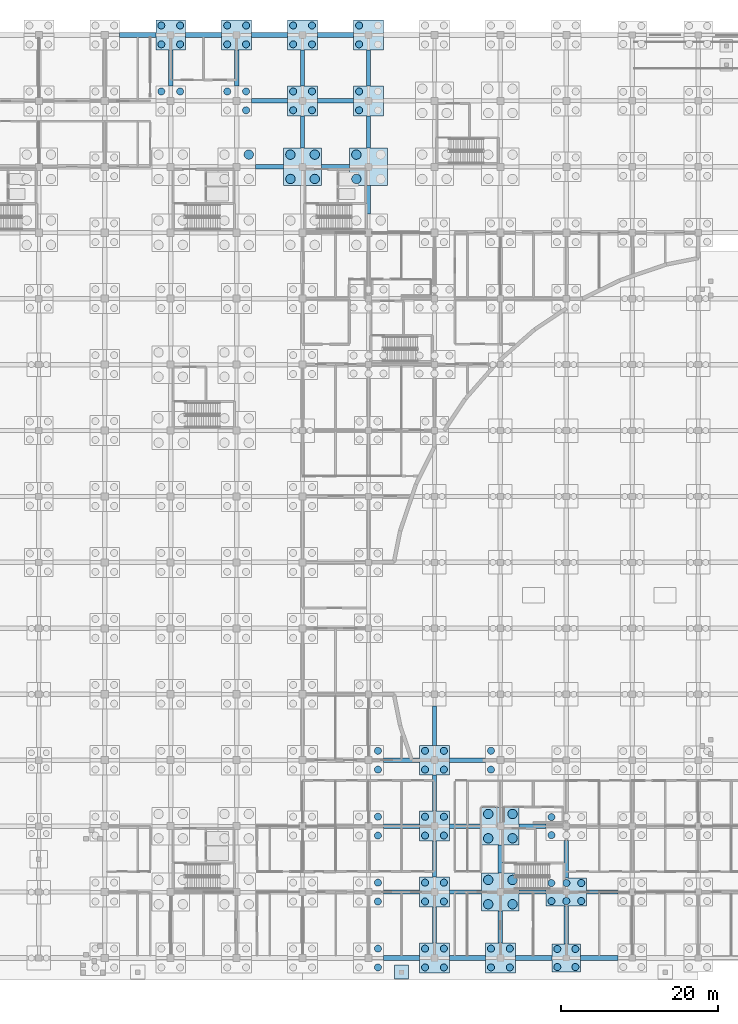
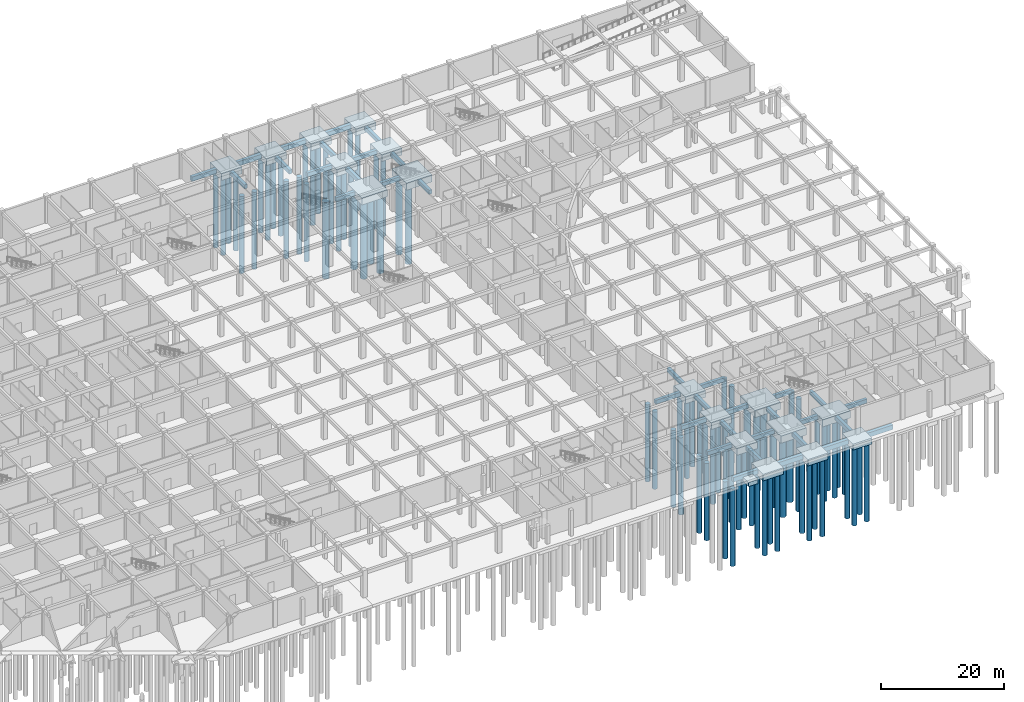
# One storey, part 12 of 65: 82 piles, 54 footings.
"""IFC4 building model written with IfcOpenShell, lengths in metres."""

from ifc_helpers import new_model, si_unit, direction, frame, origin, origin_2d, place, context, subcontext, project, spatial, rectangle, circle, extrude, material, material_profile, profile_set, type_object, element, save


model = new_model("IFC4")

# Units and contexts
model_context = context("Model", 3, precision=1e-05, world=origin(), true_north=direction((0.0, 1.0)))
body_context = subcontext(model_context, "Body", "Model", "MODEL_VIEW")
ifc_project = project(units=[si_unit("LENGTHUNIT", "METRE"), si_unit("AREAUNIT", "SQUARE_METRE"), si_unit("VOLUMEUNIT", "CUBIC_METRE"), si_unit("PLANEANGLEUNIT", "RADIAN"), si_unit("MASSUNIT", "GRAM", prefix="KILO")], contexts=[model_context])

# Site, building, storey
site_placement = place(None, origin())
site = spatial("IfcSite", under=ifc_project, at=site_placement, CompositionType="ELEMENT")
building_placement = place(site_placement, origin())
building = spatial("IfcBuilding", under=site, at=building_placement, Name="Bramfleet General Hospital", CompositionType="ELEMENT")
storey_placement = place(building_placement, frame((0.0, 0.0, -5.39990234375)))
storey = spatial("IfcBuildingStorey", under=building, at=storey_placement, Name="B1", CompositionType="ELEMENT", Elevation=-5.39990234375)

# Footings
ifc_material = material(Name="Concrete C35/45", Category="concrete")
ifc_material_profile_1 = material_profile(ifc_material, rectangle(XDim=0.550048828125, YDim=0.800048828125, at=origin_2d()), Name="RC FB 800x550")
ifc_profile_set_1 = profile_set([ifc_material_profile_1], Name="Concrete C35/45")
footing_type_1 = type_object("IfcFootingType", Name="FTG-FB-01", PredefinedType="FOOTING_BEAM", material=ifc_profile_set_1)
footing_1_placement = place(storey_placement, frame((100.800048828125, 111.10009765625, -0.900146484375), z_axis=(0.0, 1.0, 0.0), x_axis=(-1.0, 0.0, 0.0)))
element("IfcFooting", 1, at=footing_1_placement, inside=storey, type_object=footing_type_1, Name="Foundation Tie Beam Y 12-13", PredefinedType="FOOTING_BEAM", context=body_context, shape_type="SweptSolid", body=[
    extrude(rectangle(XDim=0.550048828125, YDim=0.800048828125, at=origin_2d()), origin(), (0.0, 0.0, 1.0), 4.599853515625),
])
footing_2_placement = place(storey_placement, frame((111.60009765625, 100.800048828125, -0.900146484375), z_axis=(1.0, 0.0, 0.0), x_axis=(0.0, 1.0, 0.0)))
element("IfcFooting", 2, at=footing_2_placement, inside=storey, type_object=footing_type_1, Name="Foundation Tie Beam X 13-12", PredefinedType="FOOTING_BEAM", context=body_context, shape_type="SweptSolid", body=[
    extrude(rectangle(XDim=0.550048828125, YDim=0.800048828125, at=origin_2d()), origin(), (0.0, 0.0, 1.0), 3.599853515625),
])
for number, where, z_axis, x_axis, name in (
    (3, (111.10009765625, 109.199951171875, -0.900146484375), (1.0, 0.0, 0.0), (0.0, 1.0, 0.0), "Foundation Tie Beam X 13-13"),
    (4, (109.199951171875, 111.10009765625, -0.900146484375), (0.0, 1.0, 0.0), (-1.0, 0.0, 0.0), "Foundation Tie Beam Y 13-13"),
):
    element("IfcFooting", number, at=place(storey_placement, frame(where, z_axis=z_axis, x_axis=x_axis)), inside=storey, type_object=footing_type_1, Name=name, PredefinedType="FOOTING_BEAM", context=body_context, shape_type="SweptSolid", body=[
        extrude(rectangle(XDim=0.550048828125, YDim=0.800048828125, at=origin_2d()), origin(), (0.0, 0.0, 1.0), 4.599853515625),
    ])
footing_3_placement = place(storey_placement, frame((120.0, 100.800048828125, -0.900146484375), z_axis=(1.0, 0.0, 0.0), x_axis=(0.0, 1.0, 0.0)))
element("IfcFooting", 5, at=footing_3_placement, inside=storey, type_object=footing_type_1, Name="Foundation Tie Beam X 14-12", PredefinedType="FOOTING_BEAM", context=body_context, shape_type="SweptSolid", body=[
    extrude(rectangle(XDim=0.550048828125, YDim=0.800048828125, at=origin_2d()), origin(), (0.0, 0.0, 1.0), 3.60009765625),
])
footing_4_placement = place(storey_placement, frame((117.60009765625, 103.199951171875, -0.900146484375), z_axis=(0.0, 1.0, 0.0), x_axis=(-1.0, 0.0, 0.0)))
element("IfcFooting", 6, at=footing_4_placement, inside=storey, type_object=footing_type_1, Name="Foundation Tie Beam Y 14-12", PredefinedType="FOOTING_BEAM", context=body_context, shape_type="SweptSolid", body=[
    extrude(rectangle(XDim=0.550048828125, YDim=0.800048828125, at=origin_2d()), origin(), (0.0, 0.0, 1.0), 4.10009765625),
])
footing_5_placement = place(storey_placement, frame((119.5, 109.199951171875, -0.900146484375), z_axis=(1.0, 0.0, 0.0), x_axis=(0.0, 1.0, 0.0)))
element("IfcFooting", 7, at=footing_5_placement, inside=storey, type_object=footing_type_1, Name="Foundation Tie Beam X 14-13", PredefinedType="FOOTING_BEAM", context=body_context, shape_type="SweptSolid", body=[
    extrude(rectangle(XDim=0.550048828125, YDim=0.800048828125, at=origin_2d()), origin(), (0.0, 0.0, 1.0), 4.60009765625),
])
footing_6_placement = place(storey_placement, frame((117.60009765625, 111.10009765625, -0.900146484375), z_axis=(0.0, 1.0, 0.0), x_axis=(-1.0, 0.0, 0.0)))
element("IfcFooting", 8, at=footing_6_placement, inside=storey, type_object=footing_type_1, Name="Foundation Tie Beam Y 14-13", PredefinedType="FOOTING_BEAM", context=body_context, shape_type="SweptSolid", body=[
    extrude(rectangle(XDim=0.550048828125, YDim=0.800048828125, at=origin_2d()), origin(), (0.0, 0.0, 1.0), 4.599853515625),
])
for number, where, z_axis, x_axis, name in (
    (9, (127.89990234375, 8.39990234375, -0.900146484375), (1.0, 0.0, 0.0), (0.0, 1.0, 0.0), "Foundation Tie Beam X 15-01"),
    (10, (127.89990234375, 16.800048828125, -0.900146484375), (1.0, 0.0, 0.0), (0.0, 1.0, 0.0), "Foundation Tie Beam X 15-02"),
    (11, (127.89990234375, 25.199951171875, -0.900146484375), (1.0, 0.0, 0.0), (0.0, 1.0, 0.0), "Foundation Tie Beam X 15-03"),
):
    element("IfcFooting", number, at=place(storey_placement, frame(where, z_axis=z_axis, x_axis=x_axis)), inside=storey, type_object=footing_type_1, Name=name, PredefinedType="FOOTING_BEAM", context=body_context, shape_type="SweptSolid", body=[
        extrude(rectangle(XDim=0.550048828125, YDim=0.800048828125, at=origin_2d()), origin(), (0.0, 0.0, 1.0), 4.60009765625),
    ])
footing_7_placement = place(storey_placement, frame((126.0, 94.800048828125, -0.900146484375), z_axis=(0.0, 1.0, 0.0), x_axis=(-1.0, 0.0, 0.0)))
element("IfcFooting", 12, at=footing_7_placement, inside=storey, type_object=footing_type_1, Name="Foundation Tie Beam Y 15-11", PredefinedType="FOOTING_BEAM", context=body_context, shape_type="SweptSolid", body=[
    extrude(rectangle(XDim=0.550048828125, YDim=0.800048828125, at=origin_2d()), origin(), (0.0, 0.0, 1.0), 3.599853515625),
])
footing_8_placement = place(storey_placement, frame((126.0, 103.199951171875, -0.900146484375), z_axis=(0.0, 1.0, 0.0), x_axis=(-1.0, 0.0, 0.0)))
element("IfcFooting", 13, at=footing_8_placement, inside=storey, type_object=footing_type_1, Name="Foundation Tie Beam Y 15-12", PredefinedType="FOOTING_BEAM", context=body_context, shape_type="SweptSolid", body=[
    extrude(rectangle(XDim=0.550048828125, YDim=0.800048828125, at=origin_2d()), origin(), (0.0, 0.0, 1.0), 4.10009765625),
])
footing_9_placement = place(storey_placement, frame((126.0, 111.10009765625, -0.900146484375), z_axis=(0.0, 1.0, 0.0), x_axis=(-1.0, 0.0, 0.0)))
element("IfcFooting", 14, at=footing_9_placement, inside=storey, type_object=footing_type_1, Name="Foundation Tie Beam Y 15-13", PredefinedType="FOOTING_BEAM", context=body_context, shape_type="SweptSolid", body=[
    extrude(rectangle(XDim=0.550048828125, YDim=0.800048828125, at=origin_2d()), origin(), (0.0, 0.0, 1.0), 4.599853515625),
])
footing_10_placement = place(storey_placement, frame((134.39990234375, 1.89990234375, -0.900146484375), z_axis=(0.0, 1.0, 0.0), x_axis=(-1.0, 0.0, 0.0)))
element("IfcFooting", 15, at=footing_10_placement, inside=storey, type_object=footing_type_1, Name="Foundation Tie Beam Y 16-00", PredefinedType="FOOTING_BEAM", context=body_context, shape_type="SweptSolid", body=[
    extrude(rectangle(XDim=0.550048828125, YDim=0.800048828125, at=origin_2d()), origin(), (0.0, 0.0, 1.0), 4.60009765625),
])
footing_11_placement = place(storey_placement, frame((136.300048828125, 8.39990234375, -0.900146484375), z_axis=(1.0, 0.0, 0.0), x_axis=(0.0, 1.0, 0.0)))
element("IfcFooting", 16, at=footing_11_placement, inside=storey, type_object=footing_type_1, Name="Foundation Tie Beam X 16-01", PredefinedType="FOOTING_BEAM", context=body_context, shape_type="SweptSolid", body=[
    extrude(rectangle(XDim=0.550048828125, YDim=0.800048828125, at=origin_2d()), origin(), (0.0, 0.0, 1.0), 4.099853515625),
])
footing_12_placement = place(storey_placement, frame((134.39990234375, 10.300048828125, -0.900146484375), z_axis=(0.0, 1.0, 0.0), x_axis=(-1.0, 0.0, 0.0)))
element("IfcFooting", 17, at=footing_12_placement, inside=storey, type_object=footing_type_1, Name="Foundation Tie Beam Y 16-01", PredefinedType="FOOTING_BEAM", context=body_context, shape_type="SweptSolid", body=[
    extrude(rectangle(XDim=0.550048828125, YDim=0.800048828125, at=origin_2d()), origin(), (0.0, 0.0, 1.0), 4.599853515625),
])
footing_13_placement = place(storey_placement, frame((136.300048828125, 16.800048828125, -0.900146484375), z_axis=(1.0, 0.0, 0.0), x_axis=(0.0, 1.0, 0.0)))
element("IfcFooting", 18, at=footing_13_placement, inside=storey, type_object=footing_type_1, Name="Foundation Tie Beam X 16-02", PredefinedType="FOOTING_BEAM", context=body_context, shape_type="SweptSolid", body=[
    extrude(rectangle(XDim=0.550048828125, YDim=0.800048828125, at=origin_2d()), origin(), (0.0, 0.0, 1.0), 4.099853515625),
])
footing_14_placement = place(storey_placement, frame((134.39990234375, 18.699951171875, -0.900146484375), z_axis=(0.0, 1.0, 0.0), x_axis=(-1.0, 0.0, 0.0)))
element("IfcFooting", 19, at=footing_14_placement, inside=storey, type_object=footing_type_1, Name="Foundation Tie Beam Y 16-02", PredefinedType="FOOTING_BEAM", context=body_context, shape_type="SweptSolid", body=[
    extrude(rectangle(XDim=0.550048828125, YDim=0.800048828125, at=origin_2d()), origin(), (0.0, 0.0, 1.0), 4.60009765625),
])
footing_15_placement = place(storey_placement, frame((136.300048828125, 25.199951171875, -0.900146484375), z_axis=(1.0, 0.0, 0.0), x_axis=(0.0, 1.0, 0.0)))
element("IfcFooting", 20, at=footing_15_placement, inside=storey, type_object=footing_type_1, Name="Foundation Tie Beam X 16-03", PredefinedType="FOOTING_BEAM", context=body_context, shape_type="SweptSolid", body=[
    extrude(rectangle(XDim=0.550048828125, YDim=0.800048828125, at=origin_2d()), origin(), (0.0, 0.0, 1.0), 4.599853515625),
])
footing_16_placement = place(storey_placement, frame((134.39990234375, 27.10009765625, -0.900146484375), z_axis=(0.0, 1.0, 0.0), x_axis=(-1.0, 0.0, 0.0)))
element("IfcFooting", 21, at=footing_16_placement, inside=storey, type_object=footing_type_1, Name="Foundation Tie Beam Y 16-03", PredefinedType="FOOTING_BEAM", context=body_context, shape_type="SweptSolid", body=[
    extrude(rectangle(XDim=0.550048828125, YDim=0.800048828125, at=origin_2d()), origin(), (0.0, 0.0, 1.0), 5.0),
])
footing_17_placement = place(storey_placement, frame((142.800048828125, 1.89990234375, -0.900146484375), z_axis=(0.0, 1.0, 0.0), x_axis=(-1.0, 0.0, 0.0)))
element("IfcFooting", 22, at=footing_17_placement, inside=storey, type_object=footing_type_1, Name="Foundation Tie Beam Y 17-00", PredefinedType="FOOTING_BEAM", context=body_context, shape_type="SweptSolid", body=[
    extrude(rectangle(XDim=0.550048828125, YDim=0.800048828125, at=origin_2d()), origin(), (0.0, 0.0, 1.0), 4.10009765625),
])
footing_18_placement = place(storey_placement, frame((145.199951171875, 8.39990234375, -0.900146484375), z_axis=(1.0, 0.0, 0.0), x_axis=(0.0, 1.0, 0.0)))
element("IfcFooting", 23, at=footing_18_placement, inside=storey, type_object=footing_type_1, Name="Foundation Tie Beam X 17-01", PredefinedType="FOOTING_BEAM", context=body_context, shape_type="SweptSolid", body=[
    extrude(rectangle(XDim=0.550048828125, YDim=0.800048828125, at=origin_2d()), origin(), (0.0, 0.0, 1.0), 3.400146484375),
])
footing_19_placement = place(storey_placement, frame((142.800048828125, 10.800048828125, -0.900146484375), z_axis=(0.0, 1.0, 0.0), x_axis=(-1.0, 0.0, 0.0)))
element("IfcFooting", 24, at=footing_19_placement, inside=storey, type_object=footing_type_1, Name="Foundation Tie Beam Y 17-01", PredefinedType="FOOTING_BEAM", context=body_context, shape_type="SweptSolid", body=[
    extrude(rectangle(XDim=0.550048828125, YDim=0.800048828125, at=origin_2d()), origin(), (0.0, 0.0, 1.0), 3.599853515625),
])
footing_20_placement = place(storey_placement, frame((145.199951171875, 16.800048828125, -0.900146484375), z_axis=(1.0, 0.0, 0.0), x_axis=(0.0, 1.0, 0.0)))
element("IfcFooting", 25, at=footing_20_placement, inside=storey, type_object=footing_type_1, Name="Foundation Tie Beam X 17-02", PredefinedType="FOOTING_BEAM", context=body_context, shape_type="SweptSolid", body=[
    extrude(rectangle(XDim=0.550048828125, YDim=0.800048828125, at=origin_2d()), origin(), (0.0, 0.0, 1.0), 3.400146484375),
])
footing_21_placement = place(storey_placement, frame((151.199951171875, 1.800048828125, -0.900146484375), z_axis=(0.0, 1.0, 0.0), x_axis=(-1.0, 0.0, 0.0)))
element("IfcFooting", 26, at=footing_21_placement, inside=storey, type_object=footing_type_1, Name="Foundation Tie Beam Y 18-00", PredefinedType="FOOTING_BEAM", context=body_context, shape_type="SweptSolid", body=[
    extrude(rectangle(XDim=0.550048828125, YDim=0.800048828125, at=origin_2d()), origin(), (0.0, 0.0, 1.0), 4.800048828125),
])
footing_22_placement = place(storey_placement, frame((153.800048828125, 8.39990234375, -0.900146484375), z_axis=(1.0, 0.0, 0.0), x_axis=(0.0, 1.0, 0.0)))
element("IfcFooting", 27, at=footing_22_placement, inside=storey, type_object=footing_type_1, Name="Foundation Tie Beam X 18-01", PredefinedType="FOOTING_BEAM", context=body_context, shape_type="SweptSolid", body=[
    extrude(rectangle(XDim=0.550048828125, YDim=0.800048828125, at=origin_2d()), origin(), (0.0, 0.0, 1.0), 4.0),
])
footing_23_placement = place(storey_placement, frame((151.199951171875, 10.199951171875, -0.900146484375), z_axis=(0.0, 1.0, 0.0), x_axis=(-1.0, 0.0, 0.0)))
element("IfcFooting", 28, at=footing_23_placement, inside=storey, type_object=footing_type_1, Name="Foundation Tie Beam Y 18-01", PredefinedType="FOOTING_BEAM", context=body_context, shape_type="SweptSolid", body=[
    extrude(rectangle(XDim=0.550048828125, YDim=0.800048828125, at=origin_2d()), origin(), (0.0, 0.0, 1.0), 4.800048828125),
])
ifc_material_profile_2 = material_profile(ifc_material, rectangle(XDim=0.60009765625, YDim=0.89990234375, at=origin_2d()), Name="RC FB 900x600")
ifc_profile_set_2 = profile_set([ifc_material_profile_2], Name="Concrete C35/45")
footing_type_2 = type_object("IfcFootingType", Name="FTG-FB-02", PredefinedType="FOOTING_BEAM", material=ifc_profile_set_2)
footing_24_placement = place(storey_placement, frame((94.300048828125, 117.60009765625, -0.9501953125), z_axis=(1.0, 0.0, 0.0), x_axis=(0.0, 1.0, 0.0)))
element("IfcFooting", 29, at=footing_24_placement, inside=storey, type_object=footing_type_2, Name="Foundation Tie Beam X 11-14", PredefinedType="FOOTING_BEAM", context=body_context, shape_type="SweptSolid", body=[
    extrude(rectangle(XDim=0.60009765625, YDim=0.89990234375, at=origin_2d()), origin(), (0.0, 0.0, 1.0), 4.599853515625),
])
footing_25_placement = place(storey_placement, frame((102.699951171875, 117.60009765625, -0.9501953125), z_axis=(1.0, 0.0, 0.0), x_axis=(0.0, 1.0, 0.0)))
element("IfcFooting", 30, at=footing_25_placement, inside=storey, type_object=footing_type_2, Name="Foundation Tie Beam X 12-14", PredefinedType="FOOTING_BEAM", context=body_context, shape_type="SweptSolid", body=[
    extrude(rectangle(XDim=0.60009765625, YDim=0.89990234375, at=origin_2d()), origin(), (0.0, 0.0, 1.0), 4.60009765625),
])
footing_26_placement = place(storey_placement, frame((111.10009765625, 117.60009765625, -0.9501953125), z_axis=(1.0, 0.0, 0.0), x_axis=(0.0, 1.0, 0.0)))
element("IfcFooting", 31, at=footing_26_placement, inside=storey, type_object=footing_type_2, Name="Foundation Tie Beam X 13-14", PredefinedType="FOOTING_BEAM", context=body_context, shape_type="SweptSolid", body=[
    extrude(rectangle(XDim=0.60009765625, YDim=0.89990234375, at=origin_2d()), origin(), (0.0, 0.0, 1.0), 4.599853515625),
])
for number, where, z_axis, x_axis, name in (
    (32, (119.5, 117.60009765625, -0.9501953125), (1.0, 0.0, 0.0), (0.0, 1.0, 0.0), "Foundation Tie Beam X 14-14"),
    (33, (127.89990234375, 0.0, -0.9501953125), (1.0, 0.0, 0.0), (0.0, 1.0, 0.0), "Foundation Tie Beam X 15-00"),
):
    element("IfcFooting", number, at=place(storey_placement, frame(where, z_axis=z_axis, x_axis=x_axis)), inside=storey, type_object=footing_type_2, Name=name, PredefinedType="FOOTING_BEAM", context=body_context, shape_type="SweptSolid", body=[
        extrude(rectangle(XDim=0.60009765625, YDim=0.89990234375, at=origin_2d()), origin(), (0.0, 0.0, 1.0), 4.60009765625),
    ])
footing_27_placement = place(storey_placement, frame((136.300048828125, 0.0, -0.9501953125), z_axis=(1.0, 0.0, 0.0), x_axis=(0.0, 1.0, 0.0)))
element("IfcFooting", 34, at=footing_27_placement, inside=storey, type_object=footing_type_2, Name="Foundation Tie Beam X 16-00", PredefinedType="FOOTING_BEAM", context=body_context, shape_type="SweptSolid", body=[
    extrude(rectangle(XDim=0.60009765625, YDim=0.89990234375, at=origin_2d()), origin(), (0.0, 0.0, 1.0), 4.599853515625),
])
footing_28_placement = place(storey_placement, frame((144.699951171875, 0.0, -0.9501953125), z_axis=(1.0, 0.0, 0.0), x_axis=(0.0, 1.0, 0.0)))
element("IfcFooting", 35, at=footing_28_placement, inside=storey, type_object=footing_type_2, Name="Foundation Tie Beam X 17-00", PredefinedType="FOOTING_BEAM", context=body_context, shape_type="SweptSolid", body=[
    extrude(rectangle(XDim=0.60009765625, YDim=0.89990234375, at=origin_2d()), origin(), (0.0, 0.0, 1.0), 4.699951171875),
])
footing_29_placement = place(storey_placement, frame((153.0, 0.0, -0.9501953125), z_axis=(1.0, 0.0, 0.0), x_axis=(0.0, 1.0, 0.0)))
element("IfcFooting", 36, at=footing_29_placement, inside=storey, type_object=footing_type_2, Name="Foundation Tie Beam X 18-00", PredefinedType="FOOTING_BEAM", context=body_context, shape_type="SweptSolid", body=[
    extrude(rectangle(XDim=0.60009765625, YDim=0.89990234375, at=origin_2d()), origin(), (0.0, 0.0, 1.0), 4.800048828125),
])
footing_type_3 = type_object("IfcFootingType", Name="FTG-PC-03", PredefinedType="PILE_CAP", material=ifc_material)
footing_30_placement = place(storey_placement, frame((151.199951171875, 0.0, -1.7001953125), z_axis=(0.0, 0.0, 1.0), x_axis=(1.0, 0.0, 0.0)))
element("IfcFooting", 37, at=footing_30_placement, inside=storey, type_object=footing_type_3, Name="Pile Cap FTG-B1-18-00", PredefinedType="PILE_CAP", context=body_context, shape_type="SweptSolid", body=[
    extrude(rectangle(XDim=3.60009765625, YDim=3.60009765625, at=origin_2d()), origin(), (0.0, 0.0, 1.0), 1.199951171875),
])
footing_type_4 = type_object("IfcFootingType", Name="FTG-PC-04", PredefinedType="PILE_CAP", material=ifc_material)
for number, where, z_axis, x_axis, name in (
    (38, (100.800048828125, 117.60009765625, -1.80029296875), (0.0, 0.0, 1.0), (1.0, 0.0, 0.0), "Pile Cap FTG-B1-12-14"),
    (39, (109.199951171875, 117.60009765625, -1.80029296875), (0.0, 0.0, 1.0), (1.0, 0.0, 0.0), "Pile Cap FTG-B1-13-14"),
    (40, (117.60009765625, 109.199951171875, -1.80029296875), (0.0, 0.0, 1.0), (1.0, 0.0, 0.0), "Pile Cap FTG-B1-14-13"),
    (41, (117.60009765625, 117.60009765625, -1.80029296875), (0.0, 0.0, 1.0), (1.0, 0.0, 0.0), "Pile Cap FTG-B1-14-14"),
    (42, (126.0, 109.199951171875, -1.80029296875), (0.0, 0.0, 1.0), (1.0, 0.0, 0.0), "Pile Cap FTG-B1-15-13"),
    (43, (126.0, 117.60009765625, -1.80029296875), (0.0, 0.0, 1.0), (1.0, 0.0, 0.0), "Pile Cap FTG-B1-15-14"),
    (44, (134.39990234375, 0.0, -1.80029296875), (0.0, 0.0, 1.0), (1.0, 0.0, 0.0), "Pile Cap FTG-B1-16-00"),
    (45, (134.39990234375, 8.39990234375, -1.80029296875), (0.0, 0.0, 1.0), (1.0, 0.0, 0.0), "Pile Cap FTG-B1-16-01"),
    (46, (134.39990234375, 16.800048828125, -1.80029296875), (0.0, 0.0, 1.0), (1.0, 0.0, 0.0), "Pile Cap FTG-B1-16-02"),
    (47, (134.39990234375, 25.199951171875, -1.80029296875), (0.0, 0.0, 1.0), (1.0, 0.0, 0.0), "Pile Cap FTG-B1-16-03"),
    (48, (142.800048828125, 0.0, -1.80029296875), (0.0, 0.0, 1.0), (1.0, 0.0, 0.0), "Pile Cap FTG-B1-17-00"),
):
    element("IfcFooting", number, at=place(storey_placement, frame(where, z_axis=z_axis, x_axis=x_axis)), inside=storey, type_object=footing_type_4, Name=name, PredefinedType="PILE_CAP", context=body_context, shape_type="SweptSolid", body=[
        extrude(rectangle(XDim=3.800048828125, YDim=3.800048828125, at=origin_2d()), origin(), (0.0, 0.0, 1.0), 1.300048828125),
    ])
footing_type_5 = type_object("IfcFootingType", Name="FTG-PC-05", PredefinedType="PILE_CAP", material=ifc_material)
for number, where, z_axis, x_axis, name in (
    (49, (117.60009765625, 100.800048828125, -1.900146484375), (0.0, 0.0, 1.0), (1.0, 0.0, 0.0), "Pile Cap FTG-B1-14-12"),
    (50, (126.0, 100.800048828125, -1.900146484375), (0.0, 0.0, 1.0), (1.0, 0.0, 0.0), "Pile Cap FTG-B1-15-12"),
    (51, (142.800048828125, 8.39990234375, -1.900146484375), (0.0, 0.0, 1.0), (1.0, 0.0, 0.0), "Pile Cap FTG-B1-17-01"),
    (52, (142.800048828125, 16.800048828125, -1.900146484375), (0.0, 0.0, 1.0), (1.0, 0.0, 0.0), "Pile Cap FTG-B1-17-02"),
):
    element("IfcFooting", number, at=place(storey_placement, frame(where, z_axis=z_axis, x_axis=x_axis)), inside=storey, type_object=footing_type_5, Name=name, PredefinedType="PILE_CAP", context=body_context, shape_type="SweptSolid", body=[
        extrude(rectangle(XDim=4.800048828125, YDim=4.800048828125, at=origin_2d()), origin(), (0.0, 0.0, 1.0), 1.39990234375),
    ])
footing_type_6 = type_object("IfcFootingType", Name="FTG-PC-06", PredefinedType="PILE_CAP", material=ifc_material)
footing_31_placement = place(storey_placement, frame((151.199951171875, 8.39990234375, -1.900146484375), z_axis=(0.0, 0.0, 1.0), x_axis=(1.0, 0.0, 0.0)))
element("IfcFooting", 53, at=footing_31_placement, inside=storey, type_object=footing_type_6, Name="Pile Cap FTG-B1-18-01", PredefinedType="PILE_CAP", context=body_context, shape_type="SweptSolid", body=[
    extrude(rectangle(XDim=5.199951171875, YDim=3.60009765625, at=origin_2d()), origin(), (0.0, 0.0, 1.0), 1.39990234375),
])
footing_type_7 = type_object("IfcFootingType", Name="FTG-PF-01", PredefinedType="PAD_FOOTING", material=ifc_material)
footing_32_placement = place(storey_placement, frame((130.199951171875, -1.800048828125, -1.35009765625), z_axis=(0.0, 0.0, 1.0), x_axis=(1.0, 0.0, 0.0)))
element("IfcFooting", 54, at=footing_32_placement, inside=storey, type_object=footing_type_7, Name="South Plinth Pad Footing 4", PredefinedType="PAD_FOOTING", context=body_context, shape_type="SweptSolid", body=[
    extrude(rectangle(XDim=1.800048828125, YDim=1.800048828125, at=origin_2d()), origin(), (0.0, 0.0, 1.0), 0.85009765625),
])

# Piles
ifc_material_profile_3 = material_profile(ifc_material, circle(Radius=0.60009765625, at=origin_2d()), Name="PILE BORED D1200")
ifc_profile_set_3 = profile_set([ifc_material_profile_3], Name="Concrete C35/45")
pile_type_1 = type_object("IfcPileType", Name="PILE-D1200", PredefinedType="BORED", material=ifc_profile_set_3)
for number, where, z_axis, x_axis, name in (
    (55, (110.75, 102.35009765625, -1.800048828125), (0.0, 0.0, -1.0), (1.0, 0.0, 0.0), "Bored Pile PILE-B1-13-12-4"),
    (56, (116.050048828125, 99.25, -1.800048828125), (0.0, 0.0, -1.0), (1.0, 0.0, 0.0), "Bored Pile PILE-B1-14-12-1"),
    (57, (119.14990234375, 99.25, -1.800048828125), (0.0, 0.0, -1.0), (1.0, 0.0, 0.0), "Bored Pile PILE-B1-14-12-2"),
    (58, (116.050048828125, 102.35009765625, -1.800048828125), (0.0, 0.0, -1.0), (1.0, 0.0, 0.0), "Bored Pile PILE-B1-14-12-3"),
    (59, (119.14990234375, 102.35009765625, -1.800048828125), (0.0, 0.0, -1.0), (1.0, 0.0, 0.0), "Bored Pile PILE-B1-14-12-4"),
    (60, (124.449951171875, 99.25, -1.800048828125), (0.0, 0.0, -1.0), (1.0, 0.0, 0.0), "Bored Pile PILE-B1-15-12-1"),
    (61, (124.449951171875, 102.35009765625, -1.800048828125), (0.0, 0.0, -1.0), (1.0, 0.0, 0.0), "Bored Pile PILE-B1-15-12-3"),
    (62, (141.25, 6.85009765625, -1.800048828125), (0.0, 0.0, -1.0), (1.0, 0.0, 0.0), "Bored Pile PILE-B1-17-01-1"),
    (63, (144.35009765625, 6.85009765625, -1.800048828125), (0.0, 0.0, -1.0), (1.0, 0.0, 0.0), "Bored Pile PILE-B1-17-01-2"),
    (64, (141.25, 9.949951171875, -1.800048828125), (0.0, 0.0, -1.0), (1.0, 0.0, 0.0), "Bored Pile PILE-B1-17-01-3"),
    (65, (144.35009765625, 9.949951171875, -1.800048828125), (0.0, 0.0, -1.0), (1.0, 0.0, 0.0), "Bored Pile PILE-B1-17-01-4"),
    (66, (141.25, 15.25, -1.800048828125), (0.0, 0.0, -1.0), (1.0, 0.0, 0.0), "Bored Pile PILE-B1-17-02-1"),
    (67, (144.35009765625, 15.25, -1.800048828125), (0.0, 0.0, -1.0), (1.0, 0.0, 0.0), "Bored Pile PILE-B1-17-02-2"),
    (68, (141.25, 18.35009765625, -1.800048828125), (0.0, 0.0, -1.0), (1.0, 0.0, 0.0), "Bored Pile PILE-B1-17-02-3"),
    (69, (144.35009765625, 18.35009765625, -1.800048828125), (0.0, 0.0, -1.0), (1.0, 0.0, 0.0), "Bored Pile PILE-B1-17-02-4"),
):
    element("IfcPile", number, at=place(storey_placement, frame(where, z_axis=z_axis, x_axis=x_axis)), inside=storey, type_object=pile_type_1, Name=name, PredefinedType="BORED", context=body_context, shape_type="SweptSolid", body=[
        extrude(circle(Radius=0.60009765625, at=origin_2d()), origin(), (0.0, 0.0, 1.0), 15.199951171875),
    ])
ifc_material_profile_4 = material_profile(ifc_material, circle(Radius=0.449951171875, at=origin_2d()), Name="PILE BORED D900")
ifc_profile_set_4 = profile_set([ifc_material_profile_4], Name="Concrete C35/45")
pile_type_2 = type_object("IfcPileType", Name="PILE-D900", PredefinedType="BORED", material=ifc_profile_set_4)
for number, where, z_axis, x_axis, name in (
    (70, (99.60009765625, 110.39990234375, -1.7001953125), (0.0, 0.0, -1.0), (1.0, 0.0, 0.0), "Bored Pile PILE-B1-12-13-3"),
    (71, (102.0, 110.39990234375, -1.7001953125), (0.0, 0.0, -1.0), (1.0, 0.0, 0.0), "Bored Pile PILE-B1-12-13-4"),
    (72, (99.60009765625, 116.39990234375, -1.7001953125), (0.0, 0.0, -1.0), (1.0, 0.0, 0.0), "Bored Pile PILE-B1-12-14-1"),
    (73, (102.0, 116.39990234375, -1.7001953125), (0.0, 0.0, -1.0), (1.0, 0.0, 0.0), "Bored Pile PILE-B1-12-14-2"),
    (74, (99.60009765625, 118.800048828125, -1.7001953125), (0.0, 0.0, -1.0), (1.0, 0.0, 0.0), "Bored Pile PILE-B1-12-14-3"),
    (75, (102.0, 118.800048828125, -1.7001953125), (0.0, 0.0, -1.0), (1.0, 0.0, 0.0), "Bored Pile PILE-B1-12-14-4"),
    (76, (110.39990234375, 108.0, -1.7001953125), (0.0, 0.0, -1.0), (1.0, 0.0, 0.0), "Bored Pile PILE-B1-13-13-2"),
    (77, (108.0, 110.39990234375, -1.7001953125), (0.0, 0.0, -1.0), (1.0, 0.0, 0.0), "Bored Pile PILE-B1-13-13-3"),
    (78, (110.39990234375, 110.39990234375, -1.7001953125), (0.0, 0.0, -1.0), (1.0, 0.0, 0.0), "Bored Pile PILE-B1-13-13-4"),
    (79, (108.0, 116.39990234375, -1.7001953125), (0.0, 0.0, -1.0), (1.0, 0.0, 0.0), "Bored Pile PILE-B1-13-14-1"),
    (80, (110.39990234375, 116.39990234375, -1.7001953125), (0.0, 0.0, -1.0), (1.0, 0.0, 0.0), "Bored Pile PILE-B1-13-14-2"),
    (81, (108.0, 118.800048828125, -1.7001953125), (0.0, 0.0, -1.0), (1.0, 0.0, 0.0), "Bored Pile PILE-B1-13-14-3"),
    (82, (110.39990234375, 118.800048828125, -1.7001953125), (0.0, 0.0, -1.0), (1.0, 0.0, 0.0), "Bored Pile PILE-B1-13-14-4"),
    (83, (116.39990234375, 108.0, -1.7001953125), (0.0, 0.0, -1.0), (1.0, 0.0, 0.0), "Bored Pile PILE-B1-14-13-1"),
    (84, (118.800048828125, 108.0, -1.7001953125), (0.0, 0.0, -1.0), (1.0, 0.0, 0.0), "Bored Pile PILE-B1-14-13-2"),
    (85, (116.39990234375, 110.39990234375, -1.7001953125), (0.0, 0.0, -1.0), (1.0, 0.0, 0.0), "Bored Pile PILE-B1-14-13-3"),
    (86, (118.800048828125, 110.39990234375, -1.7001953125), (0.0, 0.0, -1.0), (1.0, 0.0, 0.0), "Bored Pile PILE-B1-14-13-4"),
    (87, (116.39990234375, 116.39990234375, -1.7001953125), (0.0, 0.0, -1.0), (1.0, 0.0, 0.0), "Bored Pile PILE-B1-14-14-1"),
    (88, (118.800048828125, 116.39990234375, -1.7001953125), (0.0, 0.0, -1.0), (1.0, 0.0, 0.0), "Bored Pile PILE-B1-14-14-2"),
    (89, (116.39990234375, 118.800048828125, -1.7001953125), (0.0, 0.0, -1.0), (1.0, 0.0, 0.0), "Bored Pile PILE-B1-14-14-3"),
    (90, (118.800048828125, 118.800048828125, -1.7001953125), (0.0, 0.0, -1.0), (1.0, 0.0, 0.0), "Bored Pile PILE-B1-14-14-4"),
    (91, (127.199951171875, -1.199951171875, -1.7001953125), (0.0, 0.0, -1.0), (1.0, 0.0, 0.0), "Bored Pile PILE-B1-15-00-2"),
    (92, (127.199951171875, 1.199951171875, -1.7001953125), (0.0, 0.0, -1.0), (1.0, 0.0, 0.0), "Bored Pile PILE-B1-15-00-4"),
    (93, (127.199951171875, 7.199951171875, -1.7001953125), (0.0, 0.0, -1.0), (1.0, 0.0, 0.0), "Bored Pile PILE-B1-15-01-2"),
    (94, (127.199951171875, 9.60009765625, -1.7001953125), (0.0, 0.0, -1.0), (1.0, 0.0, 0.0), "Bored Pile PILE-B1-15-01-4"),
    (95, (127.199951171875, 15.60009765625, -1.7001953125), (0.0, 0.0, -1.0), (1.0, 0.0, 0.0), "Bored Pile PILE-B1-15-02-2"),
    (96, (127.199951171875, 18.0, -1.7001953125), (0.0, 0.0, -1.0), (1.0, 0.0, 0.0), "Bored Pile PILE-B1-15-02-4"),
    (97, (127.199951171875, 24.0, -1.7001953125), (0.0, 0.0, -1.0), (1.0, 0.0, 0.0), "Bored Pile PILE-B1-15-03-2"),
    (98, (127.199951171875, 26.39990234375, -1.7001953125), (0.0, 0.0, -1.0), (1.0, 0.0, 0.0), "Bored Pile PILE-B1-15-03-4"),
    (99, (124.800048828125, 108.0, -1.7001953125), (0.0, 0.0, -1.0), (1.0, 0.0, 0.0), "Bored Pile PILE-B1-15-13-1"),
    (100, (124.800048828125, 110.39990234375, -1.7001953125), (0.0, 0.0, -1.0), (1.0, 0.0, 0.0), "Bored Pile PILE-B1-15-13-3"),
    (101, (124.800048828125, 116.39990234375, -1.7001953125), (0.0, 0.0, -1.0), (1.0, 0.0, 0.0), "Bored Pile PILE-B1-15-14-1"),
    (102, (124.800048828125, 118.800048828125, -1.7001953125), (0.0, 0.0, -1.0), (1.0, 0.0, 0.0), "Bored Pile PILE-B1-15-14-3"),
    (103, (133.199951171875, -1.199951171875, -1.7001953125), (0.0, 0.0, -1.0), (1.0, 0.0, 0.0), "Bored Pile PILE-B1-16-00-1"),
    (104, (135.60009765625, -1.199951171875, -1.7001953125), (0.0, 0.0, -1.0), (1.0, 0.0, 0.0), "Bored Pile PILE-B1-16-00-2"),
    (105, (133.199951171875, 1.199951171875, -1.7001953125), (0.0, 0.0, -1.0), (1.0, 0.0, 0.0), "Bored Pile PILE-B1-16-00-3"),
    (106, (135.60009765625, 1.199951171875, -1.7001953125), (0.0, 0.0, -1.0), (1.0, 0.0, 0.0), "Bored Pile PILE-B1-16-00-4"),
    (107, (133.199951171875, 7.199951171875, -1.7001953125), (0.0, 0.0, -1.0), (1.0, 0.0, 0.0), "Bored Pile PILE-B1-16-01-1"),
    (108, (135.60009765625, 7.199951171875, -1.7001953125), (0.0, 0.0, -1.0), (1.0, 0.0, 0.0), "Bored Pile PILE-B1-16-01-2"),
    (109, (133.199951171875, 9.60009765625, -1.7001953125), (0.0, 0.0, -1.0), (1.0, 0.0, 0.0), "Bored Pile PILE-B1-16-01-3"),
    (110, (135.60009765625, 9.60009765625, -1.7001953125), (0.0, 0.0, -1.0), (1.0, 0.0, 0.0), "Bored Pile PILE-B1-16-01-4"),
    (111, (133.199951171875, 15.60009765625, -1.7001953125), (0.0, 0.0, -1.0), (1.0, 0.0, 0.0), "Bored Pile PILE-B1-16-02-1"),
    (112, (135.60009765625, 15.60009765625, -1.7001953125), (0.0, 0.0, -1.0), (1.0, 0.0, 0.0), "Bored Pile PILE-B1-16-02-2"),
    (113, (133.199951171875, 18.0, -1.7001953125), (0.0, 0.0, -1.0), (1.0, 0.0, 0.0), "Bored Pile PILE-B1-16-02-3"),
    (114, (135.60009765625, 18.0, -1.7001953125), (0.0, 0.0, -1.0), (1.0, 0.0, 0.0), "Bored Pile PILE-B1-16-02-4"),
    (115, (133.199951171875, 24.0, -1.7001953125), (0.0, 0.0, -1.0), (1.0, 0.0, 0.0), "Bored Pile PILE-B1-16-03-1"),
    (116, (135.60009765625, 24.0, -1.7001953125), (0.0, 0.0, -1.0), (1.0, 0.0, 0.0), "Bored Pile PILE-B1-16-03-2"),
    (117, (133.199951171875, 26.39990234375, -1.7001953125), (0.0, 0.0, -1.0), (1.0, 0.0, 0.0), "Bored Pile PILE-B1-16-03-3"),
    (118, (135.60009765625, 26.39990234375, -1.7001953125), (0.0, 0.0, -1.0), (1.0, 0.0, 0.0), "Bored Pile PILE-B1-16-03-4"),
    (119, (141.60009765625, -1.199951171875, -1.7001953125), (0.0, 0.0, -1.0), (1.0, 0.0, 0.0), "Bored Pile PILE-B1-17-00-1"),
    (120, (144.0, -1.199951171875, -1.7001953125), (0.0, 0.0, -1.0), (1.0, 0.0, 0.0), "Bored Pile PILE-B1-17-00-2"),
    (121, (141.60009765625, 1.199951171875, -1.7001953125), (0.0, 0.0, -1.0), (1.0, 0.0, 0.0), "Bored Pile PILE-B1-17-00-3"),
    (122, (144.0, 1.199951171875, -1.7001953125), (0.0, 0.0, -1.0), (1.0, 0.0, 0.0), "Bored Pile PILE-B1-17-00-4"),
    (123, (141.60009765625, 24.0, -1.7001953125), (0.0, 0.0, -1.0), (1.0, 0.0, 0.0), "Bored Pile PILE-B1-17-03-1"),
    (124, (141.60009765625, 26.39990234375, -1.7001953125), (0.0, 0.0, -1.0), (1.0, 0.0, 0.0), "Bored Pile PILE-B1-17-03-3"),
):
    element("IfcPile", number, at=place(storey_placement, frame(where, z_axis=z_axis, x_axis=x_axis)), inside=storey, type_object=pile_type_2, Name=name, PredefinedType="BORED", context=body_context, shape_type="SweptSolid", body=[
        extrude(circle(Radius=0.449951171875, at=origin_2d()), origin(), (0.0, 0.0, 1.0), 15.300048828125),
    ])
for number, where, z_axis, x_axis, name in (
    (125, (150.050048828125, -1.14990234375, -1.60009765625), (0.0, 0.0, -1.0), (1.0, 0.0, 0.0), "Bored Pile PILE-B1-18-00-1"),
    (126, (152.35009765625, -1.14990234375, -1.60009765625), (0.0, 0.0, -1.0), (1.0, 0.0, 0.0), "Bored Pile PILE-B1-18-00-2"),
    (127, (150.050048828125, 1.14990234375, -1.60009765625), (0.0, 0.0, -1.0), (1.0, 0.0, 0.0), "Bored Pile PILE-B1-18-00-3"),
    (128, (152.35009765625, 1.14990234375, -1.60009765625), (0.0, 0.0, -1.0), (1.0, 0.0, 0.0), "Bored Pile PILE-B1-18-00-4"),
):
    element("IfcPile", number, at=place(storey_placement, frame(where, z_axis=z_axis, x_axis=x_axis)), inside=storey, type_object=pile_type_2, Name=name, PredefinedType="BORED", context=body_context, shape_type="SweptSolid", body=[
        extrude(circle(Radius=0.449951171875, at=origin_2d()), origin(), (0.0, 0.0, 1.0), 15.39990234375),
    ])
for number, where, z_axis, x_axis, name in (
    (129, (149.300048828125, 7.25, -1.800048828125), (0.0, 0.0, -1.0), (1.0, 0.0, 0.0), "Bored Pile PILE-B1-18-01-1"),
    (130, (151.199951171875, 7.25, -1.800048828125), (0.0, 0.0, -1.0), (1.0, 0.0, 0.0), "Bored Pile PILE-B1-18-01-2"),
    (131, (153.10009765625, 7.25, -1.800048828125), (0.0, 0.0, -1.0), (1.0, 0.0, 0.0), "Bored Pile PILE-B1-18-01-3"),
    (132, (149.300048828125, 9.550048828125, -1.800048828125), (0.0, 0.0, -1.0), (1.0, 0.0, 0.0), "Bored Pile PILE-B1-18-01-4"),
    (133, (151.199951171875, 9.550048828125, -1.800048828125), (0.0, 0.0, -1.0), (1.0, 0.0, 0.0), "Bored Pile PILE-B1-18-01-5"),
    (134, (153.10009765625, 9.550048828125, -1.800048828125), (0.0, 0.0, -1.0), (1.0, 0.0, 0.0), "Bored Pile PILE-B1-18-01-6"),
    (135, (149.300048828125, 15.64990234375, -1.800048828125), (0.0, 0.0, -1.0), (1.0, 0.0, 0.0), "Bored Pile PILE-B1-18-02-1"),
    (136, (149.300048828125, 17.949951171875, -1.800048828125), (0.0, 0.0, -1.0), (1.0, 0.0, 0.0), "Bored Pile PILE-B1-18-02-4"),
):
    element("IfcPile", number, at=place(storey_placement, frame(where, z_axis=z_axis, x_axis=x_axis)), inside=storey, type_object=pile_type_2, Name=name, PredefinedType="BORED", context=body_context, shape_type="SweptSolid", body=[
        extrude(circle(Radius=0.449951171875, at=origin_2d()), origin(), (0.0, 0.0, 1.0), 15.199951171875),
    ])

save(model, "model.ifc")
